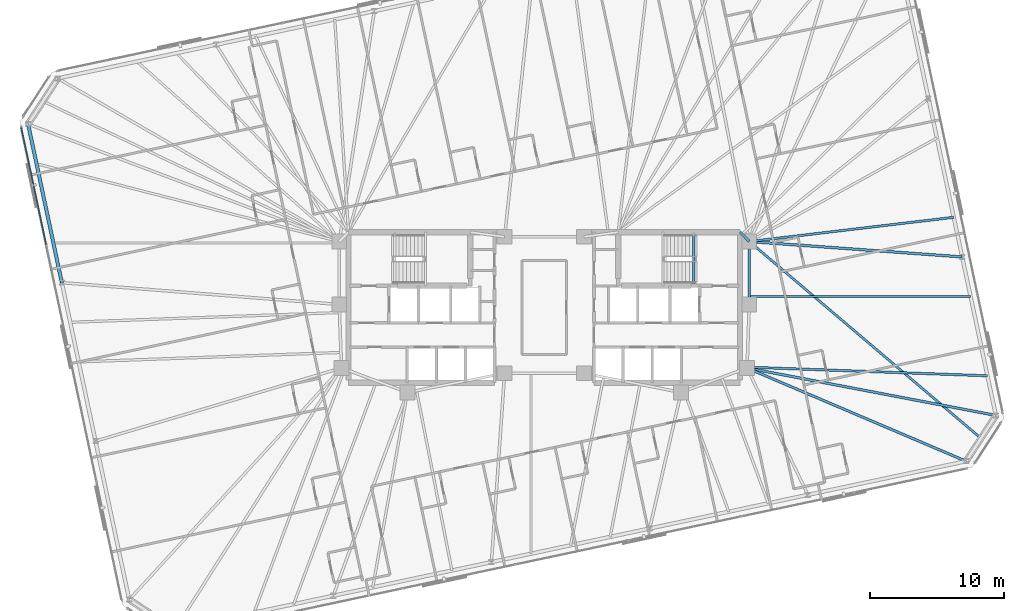
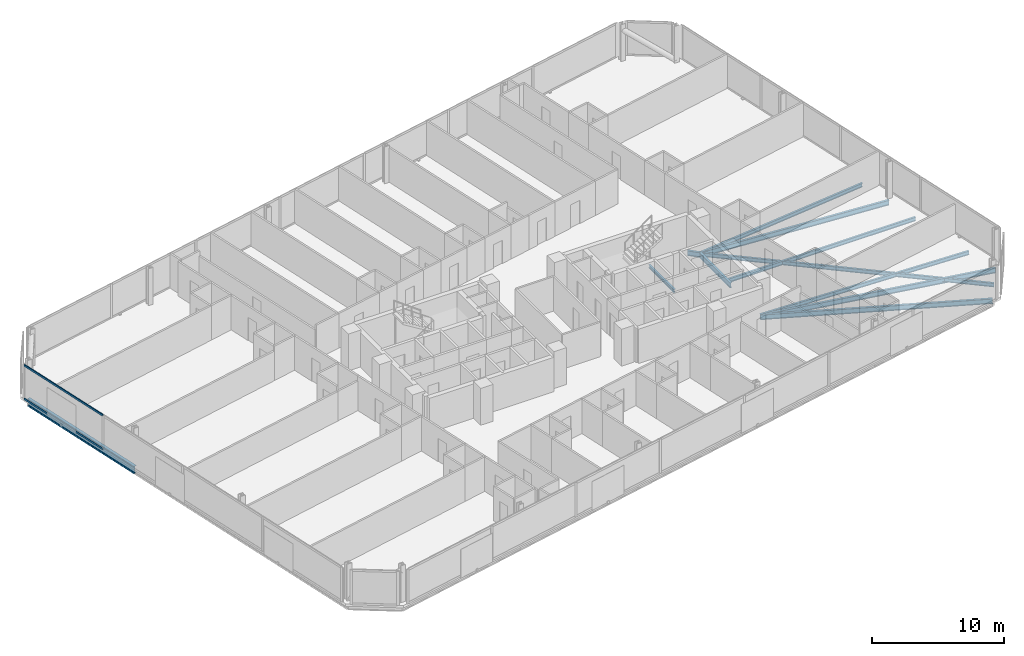
# One storey, part 8 of 21: 11 beams, 2 members, 1 element without a shape of its own.
"""IFC4 building model written with IfcOpenShell, lengths in metres."""

from ifc_helpers import new_model, si_unit, direction, frame, origin, origin_2d, place, context, subcontext, project, spatial, rectangle, i_section, extrude, material, material_profile, profile_set, type_object, element, aggregate, save


model = new_model("IFC4")

# Units and contexts
model_context = context("Model", 3, precision=1e-05, world=origin(), true_north=direction((0.0, 1.0)))
body_context = subcontext(model_context, "Body", "Model", "MODEL_VIEW")
ifc_project = project(units=[si_unit("LENGTHUNIT", "METRE"), si_unit("AREAUNIT", "SQUARE_METRE"), si_unit("VOLUMEUNIT", "CUBIC_METRE"), si_unit("PLANEANGLEUNIT", "RADIAN"), si_unit("MASSUNIT", "GRAM", prefix="KILO")], contexts=[model_context])

# Site, building, storey
site_placement = place(None, origin())
site = spatial("IfcSite", under=ifc_project, at=site_placement, CompositionType="ELEMENT")
building_placement = place(site_placement, origin())
building = spatial("IfcBuilding", under=site, at=building_placement, Name="Menara Jurai Vektor", CompositionType="ELEMENT")
storey_placement = place(building_placement, frame((0.0, 0.0, 165.0)))
storey = spatial("IfcBuildingStorey", under=building, at=storey_placement, Name="L42", CompositionType="ELEMENT", Elevation=165.0)

# Curtain wall, members
ifc_material_1 = material(Name="Anodised Pale Aluminium & Low-E Double Glazing", Category="aluminium")
curtain_wall_type = type_object("IfcCurtainWallType", Name="CW-BLK3", PredefinedType="NOTDEFINED", material=ifc_material_1)
curtain_wall_placement = place(storey_placement, origin())
curtain_wall = element("IfcCurtainWall", 1, at=curtain_wall_placement, inside=storey, type_object=curtain_wall_type, Name="Unitised Curtain Wall L42 F07", PredefinedType="NOTDEFINED")
ifc_material_2 = material(Name="Anodised Pale Aluminium Transom", Category="aluminium")
ifc_material_profile_1 = material_profile(ifc_material_2, rectangle(XDim=0.0849609375, YDim=0.175048828125, at=origin_2d()), Name="ALU TRN 85x175")
ifc_profile_set_1 = profile_set([ifc_material_profile_1], Name="Anodised Pale Aluminium Transom")
member_type = type_object("IfcMemberType", Name="CW-BLK3-TRN", PredefinedType="USERDEFINED", material=ifc_profile_set_1)
member_1_placement = place(storey_placement, frame((-38.896728515625, 13.378173828125, 0.04248046875), z_axis=(0.207899517354, -0.978150188204, 0.0), x_axis=(0.978150188204, 0.207899517354, 0.0)))
member_1 = element("IfcMember", 2, at=member_1_placement, type_object=member_type, Name="CW-03 transom 1.1", ObjectType="TRANSOM", PredefinedType="USERDEFINED", context=body_context, shape_type="SweptSolid", body=[
    extrude(rectangle(XDim=0.0849609375, YDim=0.175048828125, at=origin_2d()), origin(), (0.0, 0.0, 1.0), 8.882568359375),
])
member_2_placement = place(storey_placement, frame((-38.896728515625, 13.378173828125, 3.132568359375), z_axis=(0.207899517354, -0.978150188204, 0.0), x_axis=(0.978150188204, 0.207899517354, 0.0)))
member_2 = element("IfcMember", 3, at=member_2_placement, type_object=member_type, Name="CW-03 transom 1.2", ObjectType="TRANSOM", PredefinedType="USERDEFINED", context=body_context, shape_type="SweptSolid", body=[
    extrude(rectangle(XDim=0.0849609375, YDim=0.175048828125, at=origin_2d()), origin(), (0.0, 0.0, 1.0), 8.882568359375),
])
aggregate(curtain_wall, [member_1, member_2])

# Beams
ifc_material_3 = material(Name="Steel S355", Category="steel")
ifc_material_profile_2 = material_profile(ifc_material_3, i_section(OverallWidth=0.19091796875, OverallDepth=0.4599609375, WebThickness=0.010009765625, FlangeThickness=0.01611328125, FilletRadius=0.010009765625, at=origin_2d()), Name="UKB 457x191x82")
ifc_profile_set_2 = profile_set([ifc_material_profile_2], Name="Steel S355")
beam_type_1 = type_object("IfcBeamType", Name="STR-BM-457", PredefinedType="BEAM", material=ifc_profile_set_2)
beam_1_placement = place(storey_placement, frame((14.56005859375, 5.60009765625, -0.455078125), z_axis=(0.701871936926, -0.712303154672, 0.0), x_axis=(0.712303154672, 0.701871936926, 0.0)))
element("IfcBeam", 4, at=beam_1_placement, inside=storey, type_object=beam_type_1, Name="Core Ring Header Girder L42-CHE-N2", PredefinedType="BEAM", context=body_context, shape_type="SweptSolid", body=[
    extrude(i_section(OverallWidth=0.19091796875, OverallDepth=0.4599609375, WebThickness=0.010009765625, FlangeThickness=0.01611328125, FilletRadius=0.010009765625, at=origin_2d()), origin(), (0.0, 0.0, 1.0), 0.98291015625),
])
beam_2_placement = place(storey_placement, frame((15.25, 0.219970703125, -0.455078125), z_axis=(0.0, 1.0, 0.0), x_axis=(-1.0, 0.0, 0.0)))
element("IfcBeam", 5, at=beam_2_placement, inside=storey, type_object=beam_type_1, Name="Core Ring Header Girder L42-CHE-E1", PredefinedType="BEAM", context=body_context, shape_type="SweptSolid", body=[
    extrude(i_section(OverallWidth=0.19091796875, OverallDepth=0.4599609375, WebThickness=0.010009765625, FlangeThickness=0.01611328125, FilletRadius=0.010009765625, at=origin_2d()), origin(), (0.0, 0.0, 1.0), 4.679931640625),
])
beam_3_placement = place(storey_placement, frame((31.376220703125, -11.438720703125, -0.455078125), z_axis=(-0.920069342045, 0.391755543458, 0.0), x_axis=(-0.391755543458, -0.920069342045, 0.0)))
element("IfcBeam", 6, at=beam_3_placement, inside=storey, type_object=beam_type_1, Name="Radial Floor Girder L42-S6", PredefinedType="BEAM", context=body_context, shape_type="SweptSolid", body=[
    extrude(i_section(OverallWidth=0.19091796875, OverallDepth=0.4599609375, WebThickness=0.010009765625, FlangeThickness=0.01611328125, FilletRadius=0.010009765625, at=origin_2d()), origin(), (0.0, 0.0, 1.0), 17.7119140625),
])
beam_4_placement = place(storey_placement, frame((33.588623046875, -8.031982421875, -0.455078125), z_axis=(-0.982274660407, 0.187447303322, 0.0), x_axis=(-0.187447303322, -0.982274660407, 0.0)))
element("IfcBeam", 7, at=beam_4_placement, inside=storey, type_object=beam_type_1, Name="Radial Floor Girder L42-E1", PredefinedType="BEAM", context=body_context, shape_type="SweptSolid", body=[
    extrude(i_section(OverallWidth=0.19091796875, OverallDepth=0.4599609375, WebThickness=0.010009765625, FlangeThickness=0.01611328125, FilletRadius=0.010009765625, at=origin_2d()), origin(), (0.0, 0.0, 1.0), 18.842529296875),
])
beam_5_placement = place(storey_placement, frame((31.082763671875, 3.75634765625, -0.455078125), z_axis=(-0.997401783921, 0.072039443584, 0.0), x_axis=(-0.072039443584, -0.997401783921, 0.0)))
element("IfcBeam", 8, at=beam_5_placement, inside=storey, type_object=beam_type_1, Name="Radial Floor Girder L42-E2", PredefinedType="BEAM", context=body_context, shape_type="SweptSolid", body=[
    extrude(i_section(OverallWidth=0.19091796875, OverallDepth=0.4599609375, WebThickness=0.010009765625, FlangeThickness=0.01611328125, FilletRadius=0.010009765625, at=origin_2d()), origin(), (0.0, 0.0, 1.0), 15.8740234375),
])
ifc_material_profile_3 = material_profile(ifc_material_3, i_section(OverallWidth=0.172119140625, OverallDepth=0.35498046875, WebThickness=0.007080078125, FlangeThickness=0.011962890625, FilletRadius=0.010009765625, at=origin_2d()), Name="UKB 356x171x51")
ifc_profile_set_3 = profile_set([ifc_material_profile_3], Name="Steel S355")
beam_type_2 = type_object("IfcBeamType", Name="STR-JS-356", PredefinedType="JOIST", material=ifc_profile_set_3)
beam_6_placement = place(storey_placement, frame((32.482421875, -9.7353515625, -0.402587890625), z_axis=(-0.762207822165, 0.6473323998, 0.0), x_axis=(-0.6473323998, -0.762207822165, 0.0)))
element("IfcBeam", 9, at=beam_6_placement, inside=storey, type_object=beam_type_2, Name="Radial Secondary Floor Joist L42-JS10", PredefinedType="JOIST", context=body_context, shape_type="SweptSolid", body=[
    extrude(i_section(OverallWidth=0.172119140625, OverallDepth=0.35498046875, WebThickness=0.007080078125, FlangeThickness=0.011962890625, FilletRadius=0.010009765625, at=origin_2d()), origin(), (0.0, 0.0, 1.0), 22.608642578125),
])
beam_7_placement = place(storey_placement, frame((32.962158203125, -5.0849609375, -0.402587890625), z_axis=(-0.999351908775, 0.035996700238, 0.0), x_axis=(-0.035996700238, -0.999351908775, 0.0)))
element("IfcBeam", 10, at=beam_7_placement, inside=storey, type_object=beam_type_2, Name="Radial Secondary Floor Joist L42-JS11", PredefinedType="JOIST", context=body_context, shape_type="SweptSolid", body=[
    extrude(i_section(OverallWidth=0.172119140625, OverallDepth=0.35498046875, WebThickness=0.007080078125, FlangeThickness=0.011962890625, FilletRadius=0.010009765625, at=origin_2d()), origin(), (0.0, 0.0, 1.0), 17.8916015625),
])
beam_8_placement = place(storey_placement, frame((31.709228515625, 0.809326171875, -0.402587890625), z_axis=(-1.0, 0.0, 0.0), x_axis=(0.0, -1.0, 0.0)))
element("IfcBeam", 11, at=beam_8_placement, inside=storey, type_object=beam_type_2, Name="Radial Secondary Floor Joist L42-JS12", PredefinedType="JOIST", context=body_context, shape_type="SweptSolid", body=[
    extrude(i_section(OverallWidth=0.172119140625, OverallDepth=0.35498046875, WebThickness=0.007080078125, FlangeThickness=0.011962890625, FilletRadius=0.010009765625, at=origin_2d()), origin(), (0.0, 0.0, 1.0), 16.459228515625),
])
beam_9_placement = place(storey_placement, frame((30.456298828125, 6.70361328125, -0.402587890625), z_axis=(-0.993038492178, -0.11779029269, 0.0), x_axis=(0.11779029269, -0.993038492178, 0.0)))
element("IfcBeam", 12, at=beam_9_placement, inside=storey, type_object=beam_type_2, Name="Radial Secondary Floor Joist L42-JS13", PredefinedType="JOIST", context=body_context, shape_type="SweptSolid", body=[
    extrude(i_section(OverallWidth=0.172119140625, OverallDepth=0.35498046875, WebThickness=0.007080078125, FlangeThickness=0.011962890625, FilletRadius=0.010009765625, at=origin_2d()), origin(), (0.0, 0.0, 1.0), 15.31298828125),
])
ifc_material_profile_4 = material_profile(ifc_material_3, i_section(OverallWidth=0.1650390625, OverallDepth=0.302978515625, WebThickness=0.006103515625, FlangeThickness=0.010009765625, FilletRadius=0.009033203125, at=origin_2d()), Name="UKB 305x165x40")
ifc_profile_set_4 = profile_set([ifc_material_profile_4], Name="Steel S355")
beam_type_3 = type_object("IfcBeamType", Name="STR-LN-305", PredefinedType="LINTEL", material=ifc_profile_set_4)
beam_10_placement = place(storey_placement, frame((11.1201171875, 1.60009765625, -0.37646484375), z_axis=(0.0, 1.0, 0.0), x_axis=(-1.0, 0.0, 0.0)))
element("IfcBeam", 13, at=beam_10_placement, inside=storey, type_object=beam_type_3, Name="Stair Well Floor Trimmer ST2 L42", PredefinedType="LINTEL", context=body_context, shape_type="SweptSolid", body=[
    extrude(i_section(OverallWidth=0.1650390625, OverallDepth=0.302978515625, WebThickness=0.006103515625, FlangeThickness=0.010009765625, FilletRadius=0.009033203125, at=origin_2d()), origin(), (0.0, 0.0, 1.0), 3.81982421875),
])
ifc_material_4 = material(Name="Steel S460", Category="steel")
ifc_material_profile_5 = material_profile(ifc_material_4, i_section(OverallWidth=0.256103515625, OverallDepth=0.693115234375, WebThickness=0.013916015625, FlangeThickness=0.02392578125, FilletRadius=0.014892578125, at=origin_2d()), Name="UKB 686x254x170")
ifc_profile_set_5 = profile_set([ifc_material_profile_5], Name="Steel S460")
beam_type_4 = type_object("IfcBeamType", Name="STR-SP-686", PredefinedType="SPANDREL", material=ifc_profile_set_5)
beam_11_placement = place(storey_placement, frame((-38.388671875, 13.632080078125, -0.571533203125), z_axis=(0.207921262698, -0.978145566119, 0.0), x_axis=(0.978145566119, 0.207921262698, 0.0)))
element("IfcBeam", 14, at=beam_11_placement, inside=storey, type_object=beam_type_4, Name="Exoskeleton Spandrel Beam L42-17", PredefinedType="SPANDREL", context=body_context, shape_type="SweptSolid", body=[
    extrude(i_section(OverallWidth=0.256103515625, OverallDepth=0.693115234375, WebThickness=0.013916015625, FlangeThickness=0.02392578125, FilletRadius=0.014892578125, at=origin_2d()), origin(), (0.0, 0.0, 1.0), 12.052001953125),
])

save(model, "model.ifc")
